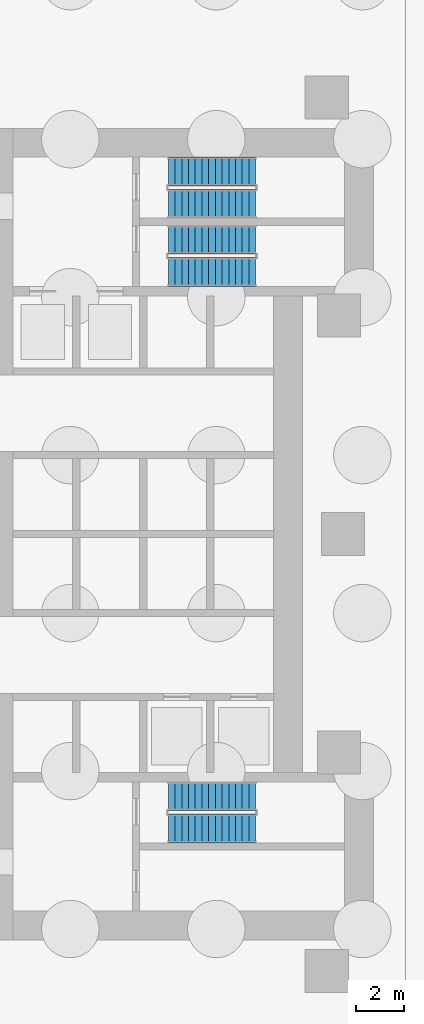
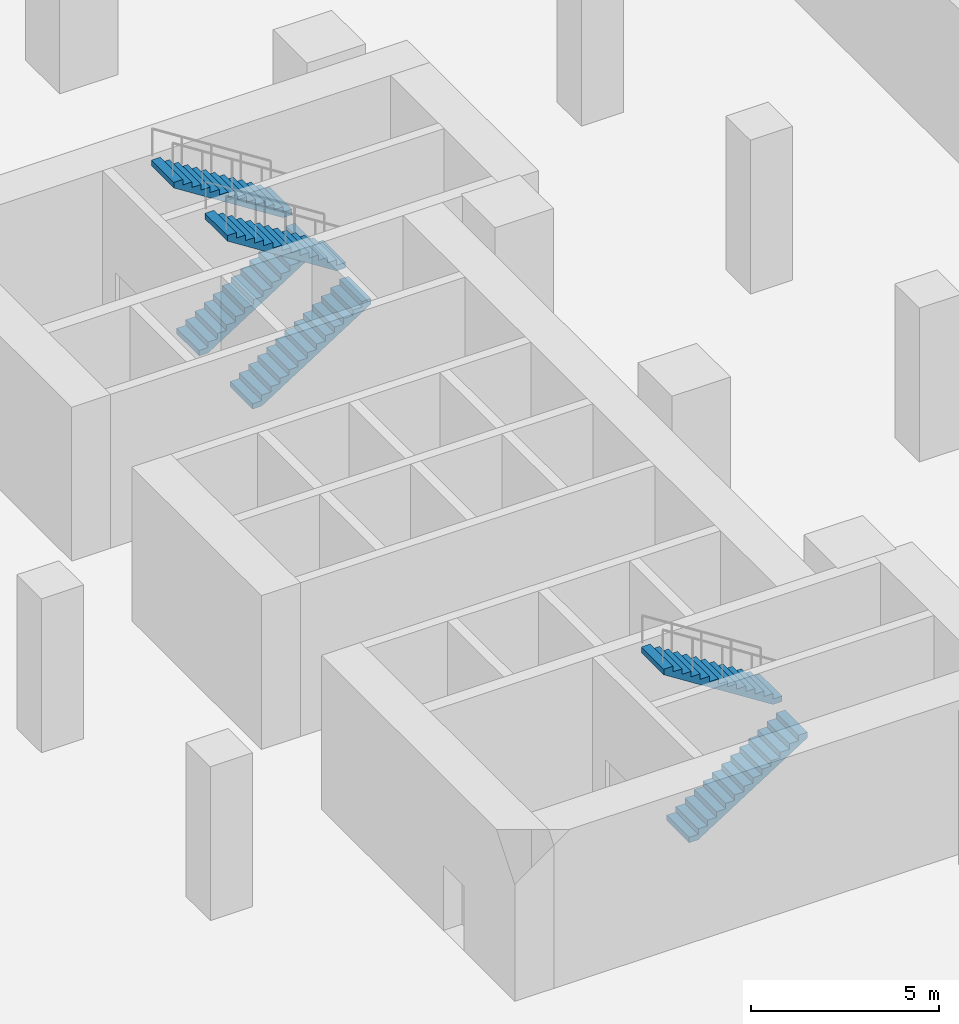
# One storey, part 8 of 11: 6 stair flights, 3 elements without a shape of their own.
"""IFC4 building model written with IfcOpenShell, lengths in metres."""

from ifc_helpers import new_model, si_unit, direction, frame, origin, place, context, subcontext, project, spatial, polyline, outline, extrude, material, type_object, element, aggregate, save


model = new_model("IFC4")

# Units and contexts
model_context = context("Model", 3, precision=1e-05, world=origin(), true_north=direction((0.0, 1.0)))
body_context = subcontext(model_context, "Body", "Model", "MODEL_VIEW")
ifc_project = project(units=[si_unit("LENGTHUNIT", "METRE"), si_unit("AREAUNIT", "SQUARE_METRE"), si_unit("VOLUMEUNIT", "CUBIC_METRE"), si_unit("PLANEANGLEUNIT", "RADIAN"), si_unit("MASSUNIT", "GRAM", prefix="KILO")], contexts=[model_context])

# Site, building, storey
site_placement = place(None, origin())
site = spatial("IfcSite", under=ifc_project, at=site_placement, CompositionType="ELEMENT")
building_placement = place(site_placement, origin())
building = spatial("IfcBuilding", under=site, at=building_placement, Name="Ostrand Prow Hotel Tower", CompositionType="ELEMENT")
storey_placement = place(building_placement, frame((0.0, 0.0, -10.0)))
storey = spatial("IfcBuildingStorey", under=building, at=storey_placement, Name="B2", CompositionType="ELEMENT", Elevation=-10.0)

# Stair, stair flights
ifc_material_1 = material(Name="Concrete C40/50", Category="concrete")
stair_type = type_object("IfcStairType", Name="Exit stair 1200 lower zone", PredefinedType="HALF_TURN_STAIR", material=ifc_material_1)
stair_1_placement = place(storey_placement, origin())
stair_1 = element("IfcStair", 1, at=stair_1_placement, inside=storey, type_object=stair_type, Name="B2 ST1A", PredefinedType="HALF_TURN_STAIR")
ifc_material_2 = material(Name="Concrete C40/50", Category="concrete")
stair_flight_type = type_object("IfcStairFlightType", Name="Stair flight 1200 concrete", PredefinedType="STRAIGHT", material=ifc_material_2)
stair_flight_1_placement = place(storey_placement, frame((57.199951171875, 10.949951171875, 0.0), z_axis=(0.0, 0.0, 1.0), x_axis=(1.0, 0.0, 0.0)))
stair_flight_1 = element("IfcStairFlight", 2, at=stair_flight_1_placement, type_object=stair_flight_type, Name="ST1A flight 1", NumberOfRisers=14, NumberOfTreads=13, PredefinedType="STRAIGHT", RiserHeight=0.178571429, TreadLength=0.28, context=body_context, shape_type="SweptSolid", body=[
    extrude(outline(polyline([(0.0, 0.0), (0.0, 0.178466796875), (0.280029296875, 0.178466796875), (0.280029296875, 0.357177734375), (0.56005859375, 0.357177734375), (0.56005859375, 0.53564453125), (0.840087890625, 0.53564453125), (0.840087890625, 0.71435546875), (1.1201171875, 0.71435546875), (1.1201171875, 0.892822265625), (1.39990234375, 0.892822265625), (1.39990234375, 1.071533203125), (1.679931640625, 1.071533203125), (1.679931640625, 1.25), (1.9599609375, 1.25), (1.9599609375, 1.428466796875), (2.239990234375, 1.428466796875), (2.239990234375, 1.607177734375), (2.52001953125, 1.607177734375), (2.52001953125, 1.78564453125), (2.800048828125, 1.78564453125), (2.800048828125, 1.96435546875), (3.080078125, 1.96435546875), (3.080078125, 2.142822265625), (3.360107421875, 2.142822265625), (3.360107421875, 2.321533203125), (3.639892578125, 2.321533203125), (3.639892578125, 2.5), (3.639892578125, 2.1435546875), (0.27880859375, 0.0), (0.0, 0.0)])), frame((0.0, 0.60009765625, 0.0), z_axis=(0.0, -1.0, 0.0), x_axis=(1.0, 0.0, 0.0)), (0.0, 0.0, 1.0), 1.199951171875),
])
stair_flight_2_placement = place(storey_placement, frame((60.840087890625, 12.300048828125, 2.5), z_axis=(0.0, 0.0, 1.0), x_axis=(-1.0, 0.0, 0.0)))
stair_flight_2 = element("IfcStairFlight", 3, at=stair_flight_2_placement, type_object=stair_flight_type, Name="ST1A flight 2", NumberOfRisers=14, NumberOfTreads=13, PredefinedType="STRAIGHT", RiserHeight=0.178571429, TreadLength=0.28, context=body_context, shape_type="SweptSolid", body=[
    extrude(outline(polyline([(0.0, 0.0), (0.0, 0.178466796875), (0.280029296875, 0.178466796875), (0.280029296875, 0.357177734375), (0.56005859375, 0.357177734375), (0.56005859375, 0.53564453125), (0.840087890625, 0.53564453125), (0.840087890625, 0.71435546875), (1.1201171875, 0.71435546875), (1.1201171875, 0.892822265625), (1.39990234375, 0.892822265625), (1.39990234375, 1.071533203125), (1.679931640625, 1.071533203125), (1.679931640625, 1.25), (1.9599609375, 1.25), (1.9599609375, 1.428466796875), (2.239990234375, 1.428466796875), (2.239990234375, 1.607177734375), (2.52001953125, 1.607177734375), (2.52001953125, 1.78564453125), (2.800048828125, 1.78564453125), (2.800048828125, 1.96435546875), (3.080078125, 1.96435546875), (3.080078125, 2.142822265625), (3.360107421875, 2.142822265625), (3.360107421875, 2.321533203125), (3.639892578125, 2.321533203125), (3.639892578125, 2.5), (3.639892578125, 2.1435546875), (0.27880859375, 0.0), (0.0, 0.0)])), frame((0.0, 0.60009765625, 0.0), z_axis=(0.0, -1.0, 0.0), x_axis=(1.0, 0.0, 0.0)), (0.0, 0.0, 1.0), 1.199951171875),
])
aggregate(stair_1, [stair_flight_1, stair_flight_2])

stair_2_placement = place(storey_placement, origin())
stair_2 = element("IfcStair", 4, at=stair_2_placement, inside=storey, type_object=stair_type, Name="B2 ST3A", PredefinedType="HALF_TURN_STAIR")
stair_flight_3_placement = place(storey_placement, frame((57.199951171875, 13.800048828125, 0.0), z_axis=(0.0, 0.0, 1.0), x_axis=(1.0, 0.0, 0.0)))
stair_flight_3 = element("IfcStairFlight", 5, at=stair_flight_3_placement, type_object=stair_flight_type, Name="ST3A flight 1", NumberOfRisers=14, NumberOfTreads=13, PredefinedType="STRAIGHT", RiserHeight=0.178571429, TreadLength=0.28, context=body_context, shape_type="SweptSolid", body=[
    extrude(outline(polyline([(0.0, 0.0), (0.0, 0.178466796875), (0.280029296875, 0.178466796875), (0.280029296875, 0.357177734375), (0.56005859375, 0.357177734375), (0.56005859375, 0.53564453125), (0.840087890625, 0.53564453125), (0.840087890625, 0.71435546875), (1.1201171875, 0.71435546875), (1.1201171875, 0.892822265625), (1.39990234375, 0.892822265625), (1.39990234375, 1.071533203125), (1.679931640625, 1.071533203125), (1.679931640625, 1.25), (1.9599609375, 1.25), (1.9599609375, 1.428466796875), (2.239990234375, 1.428466796875), (2.239990234375, 1.607177734375), (2.52001953125, 1.607177734375), (2.52001953125, 1.78564453125), (2.800048828125, 1.78564453125), (2.800048828125, 1.96435546875), (3.080078125, 1.96435546875), (3.080078125, 2.142822265625), (3.360107421875, 2.142822265625), (3.360107421875, 2.321533203125), (3.639892578125, 2.321533203125), (3.639892578125, 2.5), (3.639892578125, 2.1435546875), (0.27880859375, 0.0), (0.0, 0.0)])), frame((0.0, 0.60009765625, 0.0), z_axis=(0.0, -1.0, 0.0), x_axis=(1.0, 0.0, 0.0)), (0.0, 0.0, 1.0), 1.199951171875),
])
stair_flight_4_placement = place(storey_placement, frame((60.840087890625, 15.14990234375, 2.5), z_axis=(0.0, 0.0, 1.0), x_axis=(-1.0, 0.0, 0.0)))
stair_flight_4 = element("IfcStairFlight", 6, at=stair_flight_4_placement, type_object=stair_flight_type, Name="ST3A flight 2", NumberOfRisers=14, NumberOfTreads=13, PredefinedType="STRAIGHT", RiserHeight=0.178571429, TreadLength=0.28, context=body_context, shape_type="SweptSolid", body=[
    extrude(outline(polyline([(0.0, 0.0), (0.0, 0.178466796875), (0.280029296875, 0.178466796875), (0.280029296875, 0.357177734375), (0.56005859375, 0.357177734375), (0.56005859375, 0.53564453125), (0.840087890625, 0.53564453125), (0.840087890625, 0.71435546875), (1.1201171875, 0.71435546875), (1.1201171875, 0.892822265625), (1.39990234375, 0.892822265625), (1.39990234375, 1.071533203125), (1.679931640625, 1.071533203125), (1.679931640625, 1.25), (1.9599609375, 1.25), (1.9599609375, 1.428466796875), (2.239990234375, 1.428466796875), (2.239990234375, 1.607177734375), (2.52001953125, 1.607177734375), (2.52001953125, 1.78564453125), (2.800048828125, 1.78564453125), (2.800048828125, 1.96435546875), (3.080078125, 1.96435546875), (3.080078125, 2.142822265625), (3.360107421875, 2.142822265625), (3.360107421875, 2.321533203125), (3.639892578125, 2.321533203125), (3.639892578125, 2.5), (3.639892578125, 2.1435546875), (0.27880859375, 0.0), (0.0, 0.0)])), frame((0.0, 0.60009765625, 0.0), z_axis=(0.0, -1.0, 0.0), x_axis=(1.0, 0.0, 0.0)), (0.0, 0.0, 1.0), 1.199951171875),
])
aggregate(stair_2, [stair_flight_3, stair_flight_4])

stair_3_placement = place(storey_placement, origin())
stair_3 = element("IfcStair", 7, at=stair_3_placement, inside=storey, type_object=stair_type, Name="B2 ST2A", PredefinedType="HALF_TURN_STAIR")
stair_flight_5_placement = place(storey_placement, frame((57.199951171875, -12.300048828125, 0.0), z_axis=(0.0, 0.0, 1.0), x_axis=(1.0, 0.0, 0.0)))
stair_flight_5 = element("IfcStairFlight", 8, at=stair_flight_5_placement, type_object=stair_flight_type, Name="ST2A flight 1", NumberOfRisers=14, NumberOfTreads=13, PredefinedType="STRAIGHT", RiserHeight=0.178571429, TreadLength=0.28, context=body_context, shape_type="SweptSolid", body=[
    extrude(outline(polyline([(0.0, 0.0), (0.0, 0.178466796875), (0.280029296875, 0.178466796875), (0.280029296875, 0.357177734375), (0.56005859375, 0.357177734375), (0.56005859375, 0.53564453125), (0.840087890625, 0.53564453125), (0.840087890625, 0.71435546875), (1.1201171875, 0.71435546875), (1.1201171875, 0.892822265625), (1.39990234375, 0.892822265625), (1.39990234375, 1.071533203125), (1.679931640625, 1.071533203125), (1.679931640625, 1.25), (1.9599609375, 1.25), (1.9599609375, 1.428466796875), (2.239990234375, 1.428466796875), (2.239990234375, 1.607177734375), (2.52001953125, 1.607177734375), (2.52001953125, 1.78564453125), (2.800048828125, 1.78564453125), (2.800048828125, 1.96435546875), (3.080078125, 1.96435546875), (3.080078125, 2.142822265625), (3.360107421875, 2.142822265625), (3.360107421875, 2.321533203125), (3.639892578125, 2.321533203125), (3.639892578125, 2.5), (3.639892578125, 2.1435546875), (0.27880859375, 0.0), (0.0, 0.0)])), frame((0.0, 0.60009765625, 0.0), z_axis=(0.0, -1.0, 0.0), x_axis=(1.0, 0.0, 0.0)), (0.0, 0.0, 1.0), 1.199951171875),
])
stair_flight_6_placement = place(storey_placement, frame((60.840087890625, -10.949951171875, 2.5), z_axis=(0.0, 0.0, 1.0), x_axis=(-1.0, 0.0, 0.0)))
stair_flight_6 = element("IfcStairFlight", 9, at=stair_flight_6_placement, type_object=stair_flight_type, Name="ST2A flight 2", NumberOfRisers=14, NumberOfTreads=13, PredefinedType="STRAIGHT", RiserHeight=0.178571429, TreadLength=0.28, context=body_context, shape_type="SweptSolid", body=[
    extrude(outline(polyline([(0.0, 0.0), (0.0, 0.178466796875), (0.280029296875, 0.178466796875), (0.280029296875, 0.357177734375), (0.56005859375, 0.357177734375), (0.56005859375, 0.53564453125), (0.840087890625, 0.53564453125), (0.840087890625, 0.71435546875), (1.1201171875, 0.71435546875), (1.1201171875, 0.892822265625), (1.39990234375, 0.892822265625), (1.39990234375, 1.071533203125), (1.679931640625, 1.071533203125), (1.679931640625, 1.25), (1.9599609375, 1.25), (1.9599609375, 1.428466796875), (2.239990234375, 1.428466796875), (2.239990234375, 1.607177734375), (2.52001953125, 1.607177734375), (2.52001953125, 1.78564453125), (2.800048828125, 1.78564453125), (2.800048828125, 1.96435546875), (3.080078125, 1.96435546875), (3.080078125, 2.142822265625), (3.360107421875, 2.142822265625), (3.360107421875, 2.321533203125), (3.639892578125, 2.321533203125), (3.639892578125, 2.5), (3.639892578125, 2.1435546875), (0.27880859375, 0.0), (0.0, 0.0)])), frame((0.0, 0.60009765625, 0.0), z_axis=(0.0, -1.0, 0.0), x_axis=(1.0, 0.0, 0.0)), (0.0, 0.0, 1.0), 1.199951171875),
])
aggregate(stair_3, [stair_flight_5, stair_flight_6])

save(model, "model.ifc")
